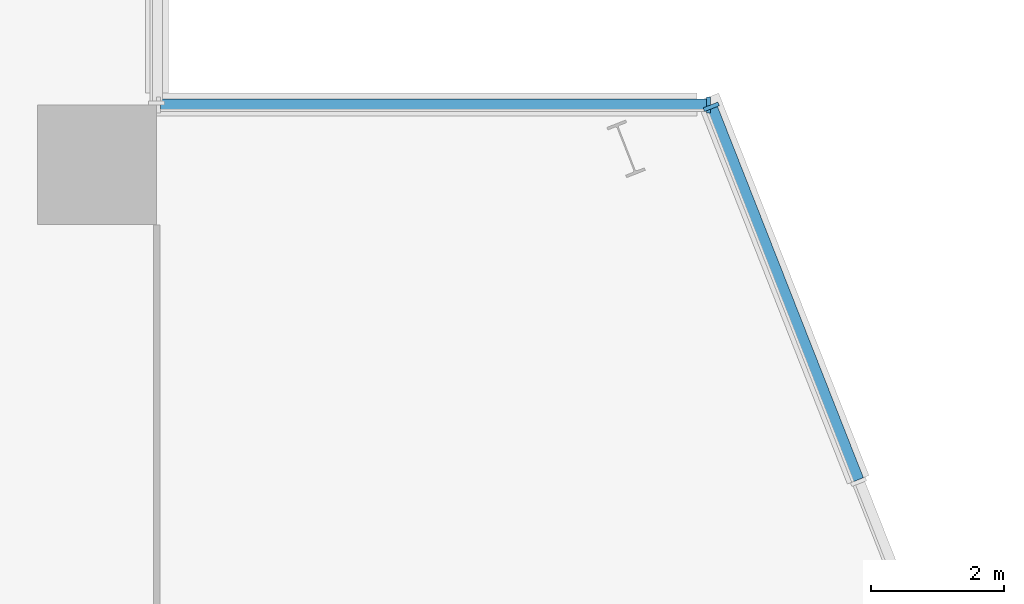
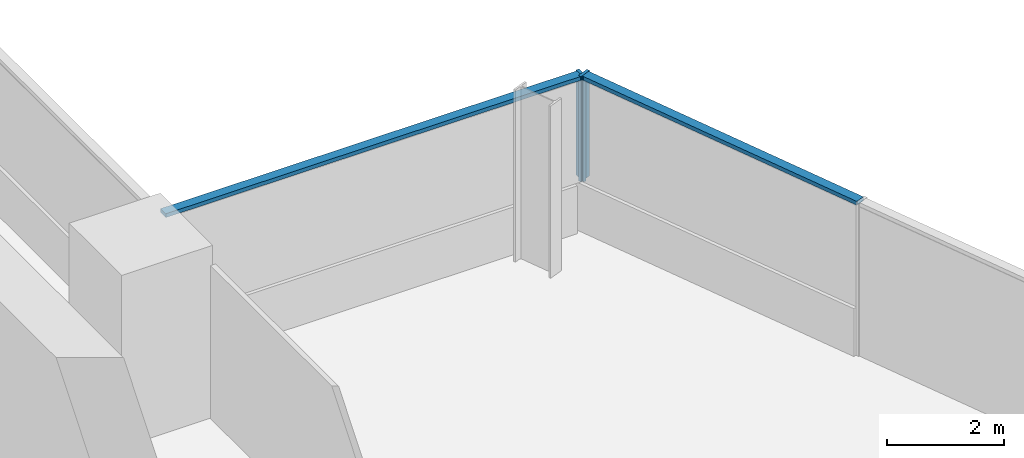
# One storey, part 11 of 26: 4 members, 2 elements without a shape of their own.
"""IFC4 building model written with IfcOpenShell, lengths in metres."""

from ifc_helpers import new_model, si_unit, direction, frame, origin, origin_2d, place, context, subcontext, project, spatial, rectangle, extrude, material, material_profile, profile_set, type_object, element, aggregate, save


model = new_model("IFC4")

# Units and contexts
model_context = context("Model", 3, precision=1e-05, world=origin(), true_north=direction((0.0, 1.0)))
body_context = subcontext(model_context, "Body", "Model", "MODEL_VIEW")
ifc_project = project(units=[si_unit("LENGTHUNIT", "METRE"), si_unit("AREAUNIT", "SQUARE_METRE"), si_unit("VOLUMEUNIT", "CUBIC_METRE"), si_unit("PLANEANGLEUNIT", "RADIAN"), si_unit("MASSUNIT", "GRAM", prefix="KILO")], contexts=[model_context])

# Site, building, storey
site_placement = place(None, origin())
site = spatial("IfcSite", under=ifc_project, at=site_placement, CompositionType="ELEMENT")
building_placement = place(site_placement, origin())
building = spatial("IfcBuilding", under=site, at=building_placement, Name="Wharfspan Tower", CompositionType="ELEMENT")
storey_placement = place(building_placement, frame((0.0, 0.0, 114.699951)))
storey = spatial("IfcBuildingStorey", under=building, at=storey_placement, Name="L26", CompositionType="ELEMENT", Elevation=114.699951)

# Curtain wall, member
ifc_material = material(Name="Aluminium 6063-T6", Category="aluminium")
curtain_wall_type = type_object("IfcCurtainWallType", Name="CURTAIN WALL PROW AND END", PredefinedType="NOTDEFINED", material=ifc_material)
curtain_wall_1_placement = place(storey_placement, origin())
curtain_wall_1 = element("IfcCurtainWall", 1, at=curtain_wall_1_placement, inside=storey, type_object=curtain_wall_type, Name="Curtain wall E", PredefinedType="NOTDEFINED")
ifc_material_profile_1 = material_profile(ifc_material, rectangle(XDim=0.23999, YDim=0.060059, at=origin_2d()))
ifc_profile_set_1 = profile_set([ifc_material_profile_1], Name="Aluminium 6063-T6")
member_type_1 = type_object("IfcMemberType", Name="MULLION PROW AND END 60x240", PredefinedType="MULLION", material=ifc_profile_set_1)
member_1_placement = place(storey_placement, frame((76.369141, 41.972168, 1.0), z_axis=(0.0, 0.0, 1.0), x_axis=(-0.930702, -0.365778, 0.0)))
member_1 = element("IfcMember", 2, at=member_1_placement, type_object=member_type_1, Name="Curtain wall E mullion 8", PredefinedType="MULLION", context=body_context, shape_type="SweptSolid", body=[
    extrude(rectangle(XDim=0.23999, YDim=0.060059, at=origin_2d()), origin(), (0.0, 0.0, 1.0), 2.199951),
])

curtain_wall_2_placement = place(storey_placement, origin())
curtain_wall_2 = element("IfcCurtainWall", 3, at=curtain_wall_2_placement, inside=storey, type_object=curtain_wall_type, Name="Curtain wall NRE-H", PredefinedType="NOTDEFINED")
member_2_placement = place(storey_placement, frame((76.328125, 42.0, 1.0), z_axis=(0.0, 0.0, 1.0), x_axis=(0.0, -1.0, 0.0)))
member_2 = element("IfcMember", 4, at=member_2_placement, type_object=member_type_1, Name="Curtain wall NRE-H mullion 1", PredefinedType="MULLION", context=body_context, shape_type="SweptSolid", body=[
    extrude(rectangle(XDim=0.23999, YDim=0.060059, at=origin_2d()), origin(), (0.0, 0.0, 1.0), 2.199951),
])

# Member
ifc_material_profile_2 = material_profile(ifc_material, rectangle(XDim=0.179932, YDim=0.080078, at=origin_2d()))
ifc_profile_set_2 = profile_set([ifc_material_profile_2], Name="Aluminium 6063-T6")
member_type_2 = type_object("IfcMemberType", Name="TRANSOM PROW AND END 80x180", PredefinedType="USERDEFINED", material=ifc_profile_set_2)
member_3_placement = place(storey_placement, frame((78.581787, 36.342285, 3.160156), z_axis=(-0.365789, 0.930698, 0.0), x_axis=(-0.930698, -0.365789, 0.0)))
member_3 = element("IfcMember", 5, at=member_3_placement, type_object=member_type_2, Name="Curtain wall E transom 7", ObjectType="TRANSOM", PredefinedType="USERDEFINED", context=body_context, shape_type="SweptSolid", body=[
    extrude(rectangle(XDim=0.179932, YDim=0.080078, at=origin_2d()), origin(), (0.0, 0.0, 1.0), 6.019043),
])

aggregate(curtain_wall_1, [member_1, member_3])

member_4_placement = place(storey_placement, frame((76.298096, 42.0, 3.160156), z_axis=(-1.0, 0.0, 0.0), x_axis=(0.0, -1.0, 0.0)))
member_4 = element("IfcMember", 6, at=member_4_placement, type_object=member_type_2, Name="Curtain wall NRE-H transom 1", ObjectType="TRANSOM", PredefinedType="USERDEFINED", context=body_context, shape_type="SweptSolid", body=[
    extrude(rectangle(XDim=0.179932, YDim=0.080078, at=origin_2d()), origin(), (0.0, 0.0, 1.0), 8.238037),
])

aggregate(curtain_wall_2, [member_2, member_4])

save(model, "model.ifc")
